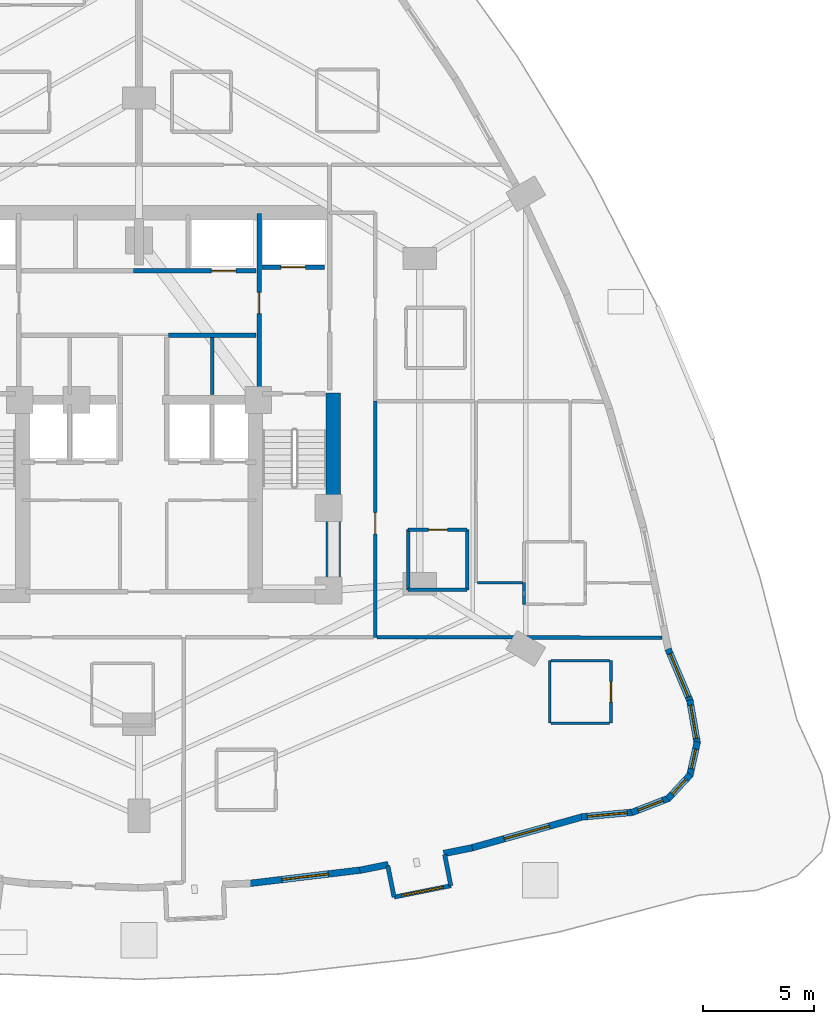
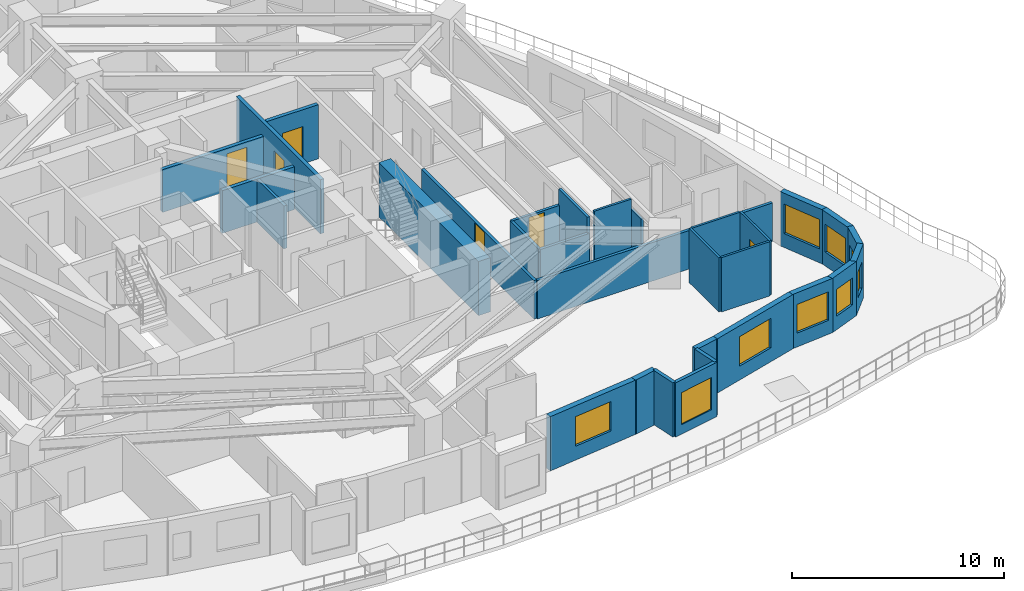
# One storey, part 11 of 17: 31 walls, 9 windows, 6 doors, 15 openings.
"""IFC4 building model written with IfcOpenShell, lengths in metres."""

from ifc_helpers import new_model, si_unit, direction, frame, frame_2d, origin, place, context, subcontext, project, spatial, rectangle, extrude, material, layer, layer_set, type_object, element, fill, save


model = new_model("IFC4")

# Units and contexts
model_context = context("Model", 3, precision=1e-05, world=origin(), true_north=direction((0.0, 1.0)))
body_context = subcontext(model_context, "Body", "Model", "MODEL_VIEW")
ifc_project = project(units=[si_unit("LENGTHUNIT", "METRE"), si_unit("AREAUNIT", "SQUARE_METRE"), si_unit("VOLUMEUNIT", "CUBIC_METRE"), si_unit("PLANEANGLEUNIT", "RADIAN"), si_unit("MASSUNIT", "GRAM", prefix="KILO")], contexts=[model_context])

# Site, building, storey
site_placement = place(None, origin())
site = spatial("IfcSite", under=ifc_project, at=site_placement, CompositionType="ELEMENT")
building_placement = place(site_placement, origin())
building = spatial("IfcBuilding", under=site, at=building_placement, Name="Miruveldt Soraemaru", CompositionType="ELEMENT")
storey_placement = place(building_placement, frame((0.0, 0.0, 29.199951171875)))
storey = spatial("IfcBuildingStorey", under=building, at=storey_placement, Name="L07", CompositionType="ELEMENT", Elevation=29.199951171875)

# Walls
ifc_material_1 = material(Name="White powder-coated aluminium EN AW-6060 T6", Category="aluminium")
ifc_layer_1 = layer(ifc_material_1, 0.18994140625, Name="White powder-coated aluminium EN AW-6060 T6", Category="aluminium")
ifc_layer_set_1 = layer_set([ifc_layer_1], Name="White powder-coated aluminium EN AW-6060 T6")
wall_type_1 = type_object("IfcWallType", Name="WALL-BAY-ALU190", PredefinedType="SOLIDWALL", material=ifc_layer_set_1)
for number, where, z_axis, x_axis, name in (
    (1, (55.166748046875, 23.139404296875, 0.0), (0.0, 0.0, 1.0), (0.195984352603, -0.980607022989, 0.0), "L07 Bay Window Side Cheek 6L"),
    (2, (57.99560546875, 22.251708984375, 0.0), (0.0, 0.0, 1.0), (-0.195984352603, 0.980607022989, 0.0), "L07 Bay Window Side Cheek 6R"),
):
    element("IfcWall", number, at=place(storey_placement, frame(where, z_axis=z_axis, x_axis=x_axis)), inside=storey, type_object=wall_type_1, Name=name, PredefinedType="SOLIDWALL", context=body_context, shape_type="SweptSolid", body=[
        extrude(rectangle(XDim=1.425048828125, YDim=0.18994140625, at=frame_2d((0.71240234375, 0.0))), origin(), (0.0, 0.0, 1.0), 3.125),
    ])

# Wall, opening, window
wall_1_placement = place(storey_placement, frame((55.446044921875, 21.741943359375, 0.0), z_axis=(0.0, 0.0, 1.0), x_axis=(0.980591508741, 0.196061962104, 0.0)))
wall_1 = element("IfcWall", 3, at=wall_1_placement, inside=storey, type_object=wall_type_1, Name="L07 Bay Window Front Frame 6", PredefinedType="SOLIDWALL", context=body_context, shape_type="SweptSolid", body=[
    extrude(rectangle(XDim=2.60009765625, YDim=0.18994140625, at=frame_2d((1.300048828125, 0.0))), origin(), (0.0, 0.0, 1.0), 3.125),
])
opening_1_placement = place(wall_1_placement, frame((0.35009765625, 0.0, 0.550048828125)))
opening_1 = element("IfcOpeningElement", 4, at=opening_1_placement, cuts=wall_1, Name="Opening WN-6", PredefinedType="OPENING", context=body_context, shape_type="SweptSolid", body=[
    extrude(rectangle(XDim=1.89990234375, YDim=1.85009765625, at=frame_2d((0.949951171875, 0.925048828125))), frame((0.0, 0.10498046875, 0.0), z_axis=(0.0, -1.0, 0.0), x_axis=(1.0, 0.0, 0.0)), (0.0, 0.0, 1.0), 0.2099609375),
])
ifc_material_2 = material(Name="Triple low-e insulated glazing", Category="glass")
window_type_1 = type_object("IfcWindowType", Name="WIN-BAYW-1900x1850", PartitioningType="SINGLE_PANEL", PredefinedType="WINDOW", material=ifc_material_2)
window_1_placement = place(opening_1_placement, origin())
window_1 = element("IfcWindow", 5, at=window_1_placement, inside=storey, type_object=window_type_1, Name="L07 Projecting Bay Window 6", OverallHeight=1.85009765625, OverallWidth=1.89990234375, PartitioningType="SINGLE_PANEL", PredefinedType="WINDOW", context=body_context, shape_type="SweptSolid", body=[
    extrude(rectangle(XDim=1.89990234375, YDim=1.85009765625, at=frame_2d((0.949951171875, 0.925048828125))), frame((0.0, 0.030029296875, 0.0), z_axis=(0.0, -1.0, 0.0), x_axis=(1.0, 0.0, 0.0)), (0.0, 0.0, 1.0), 0.06005859375),
])
fill(opening_1, window_1)

# Wall
ifc_material_3 = material(Name="Concrete C80/95 (80 MPa)", Category="concrete")
ifc_layer_2 = layer(ifc_material_3, 0.64990234375, Name="Concrete C80/95 (80 MPa)", Category="concrete")
ifc_layer_set_2 = layer_set([ifc_layer_2], Name="Concrete C80/95 (80 MPa)")
wall_type_2 = type_object("IfcWallType", Name="WALL-CW-650", PredefinedType="SHEAR", material=ifc_layer_set_2)
wall_2_placement = place(storey_placement, frame((52.72509765625, 34.949951171875, 0.0), z_axis=(0.0, 0.0, 1.0), x_axis=(0.0, 1.0, 0.0)))
element("IfcWall", 6, at=wall_2_placement, inside=storey, type_object=wall_type_2, Name="L07 Central Core Shear Wall E1", PredefinedType="SHEAR", context=body_context, shape_type="SweptSolid", body=[
    extrude(rectangle(XDim=9.400146484375, YDim=0.64990234375, at=frame_2d((4.7001953125, 0.0))), origin(), (0.0, 0.0, 1.0), 3.125),
])

# Wall, opening, window
ifc_material_4 = material(Name="Precast concrete C45/55 (45 MPa)", Category="concrete")
ifc_layer_3 = layer(ifc_material_4, 0.300048828125, Name="Precast concrete C45/55 (45 MPa)", Category="concrete")
ifc_layer_set_3 = layer_set([ifc_layer_3], Name="Precast concrete C45/55 (45 MPa)")
wall_type_3 = type_object("IfcWallType", Name="WALL-EXT-PC300", PredefinedType="SOLIDWALL", material=ifc_layer_set_3)
wall_3_placement = place(storey_placement, frame((48.9375, 22.35009765625, 0.0), z_axis=(0.0, 0.0, 1.0), x_axis=(0.992877520979, 0.119139533049, 0.0)))
wall_3 = element("IfcWall", 7, at=wall_3_placement, inside=storey, type_object=wall_type_3, Name="L07 Precast Concrete Facade Wall 26", PredefinedType="SOLIDWALL", context=body_context, shape_type="SweptSolid", body=[
    extrude(rectangle(XDim=5.077880859375, YDim=0.300048828125, at=frame_2d((2.5390625, 0.0))), origin(), (0.0, 0.0, 1.0), 3.125),
])
opening_2_placement = place(wall_3_placement, frame((1.489013671875, 0.0, 0.800048828125)))
opening_2 = element("IfcOpeningElement", 8, at=opening_2_placement, cuts=wall_3, Name="Opening WN-1", PredefinedType="OPENING", context=body_context, shape_type="SweptSolid", body=[
    extrude(rectangle(XDim=2.10009765625, YDim=1.699951171875, at=frame_2d((1.050048828125, 0.85009765625))), frame((0.0, 0.16015625, 0.0), z_axis=(0.0, -1.0, 0.0), x_axis=(1.0, 0.0, 0.0)), (0.0, 0.0, 1.0), 0.320068359375),
])
window_type_2 = type_object("IfcWindowType", Name="WIN-PUNCH-2100x1700", PartitioningType="SINGLE_PANEL", PredefinedType="WINDOW", material=ifc_material_2)
window_2_placement = place(opening_2_placement, origin())
window_2 = element("IfcWindow", 9, at=window_2_placement, inside=storey, type_object=window_type_2, Name="L07 Punched Triple-Glazed Window 26.1", OverallHeight=1.699951171875, OverallWidth=2.10009765625, PartitioningType="SINGLE_PANEL", PredefinedType="WINDOW", context=body_context, shape_type="SweptSolid", body=[
    extrude(rectangle(XDim=2.10009765625, YDim=1.699951171875, at=frame_2d((1.050048828125, 0.85009765625))), frame((0.0, 0.030029296875, 0.0), z_axis=(0.0, -1.0, 0.0), x_axis=(1.0, 0.0, 0.0)), (0.0, 0.0, 1.0), 0.06005859375),
])
fill(opening_2, window_2)

# Walls
for number, where, z_axis, x_axis, name in (
    (10, (53.91015625, 22.944091796875, 0.0), (0.0, 0.0, 1.0), (0.980566231491, 0.196188342314, 0.0), "L07 Precast Pier Wall 27A"),
    (11, (57.676025390625, 23.697265625, 0.0), (0.0, 0.0, 1.0), (0.980566231491, 0.196188342314, 0.0), "L07 Precast Pier Wall 27B"),
):
    element("IfcWall", number, at=place(storey_placement, frame(where, z_axis=z_axis, x_axis=x_axis)), inside=storey, type_object=wall_type_3, Name=name, PredefinedType="SOLIDWALL", context=body_context, shape_type="SweptSolid", body=[
        extrude(rectangle(XDim=1.300537109375, YDim=0.300048828125, at=frame_2d((0.650390625, 0.0))), origin(), (0.0, 0.0, 1.0), 3.125),
    ])

# Wall, opening, window
wall_4_placement = place(storey_placement, frame((58.883056640625, 23.93603515625, 0.0), z_axis=(0.0, 0.0, 1.0), x_axis=(0.962961112649, 0.269640307679, 0.0)))
wall_4 = element("IfcWall", 12, at=wall_4_placement, inside=storey, type_object=wall_type_3, Name="L07 Precast Concrete Facade Wall 28", PredefinedType="SOLIDWALL", context=body_context, shape_type="SweptSolid", body=[
    extrude(rectangle(XDim=5.2333984375, YDim=0.300048828125, at=frame_2d((2.61669921875, 0.0))), origin(), (0.0, 0.0, 1.0), 3.125),
])
opening_3_placement = place(wall_4_placement, frame((1.56591796875, 0.0, 0.800048828125)))
opening_3 = element("IfcOpeningElement", 13, at=opening_3_placement, cuts=wall_4, Name="Opening WN-1", PredefinedType="OPENING", context=body_context, shape_type="SweptSolid", body=[
    extrude(rectangle(XDim=2.10009765625, YDim=1.699951171875, at=frame_2d((1.050048828125, 0.85009765625))), frame((0.0, 0.16015625, 0.0), z_axis=(0.0, -1.0, 0.0), x_axis=(1.0, 0.0, 0.0)), (0.0, 0.0, 1.0), 0.320068359375),
])
window_3_placement = place(opening_3_placement, origin())
window_3 = element("IfcWindow", 14, at=window_3_placement, inside=storey, type_object=window_type_2, Name="L07 Punched Triple-Glazed Window 28.1", OverallHeight=1.699951171875, OverallWidth=2.10009765625, PartitioningType="SINGLE_PANEL", PredefinedType="WINDOW", context=body_context, shape_type="SweptSolid", body=[
    extrude(rectangle(XDim=2.10009765625, YDim=1.699951171875, at=frame_2d((1.050048828125, 0.85009765625))), frame((0.0, 0.030029296875, 0.0), z_axis=(0.0, -1.0, 0.0), x_axis=(1.0, 0.0, 0.0)), (0.0, 0.0, 1.0), 0.06005859375),
])
fill(opening_3, window_3)

wall_5_placement = place(storey_placement, frame((63.85400390625, 25.33447265625, 0.0), z_axis=(0.0, 0.0, 1.0), x_axis=(0.995760200103, 0.09198708546, 0.0)))
wall_5 = element("IfcWall", 15, at=wall_5_placement, inside=storey, type_object=wall_type_3, Name="L07 Precast Concrete Facade Wall 29", PredefinedType="SOLIDWALL", context=body_context, shape_type="SweptSolid", body=[
    extrude(rectangle(XDim=2.335693359375, YDim=0.300048828125, at=frame_2d((1.16796875, 0.0))), origin(), (0.0, 0.0, 1.0), 3.125),
])
opening_4_placement = place(wall_5_placement, frame((0.26806640625, 0.0, 0.800048828125)))
opening_4 = element("IfcOpeningElement", 16, at=opening_4_placement, cuts=wall_5, Name="Opening WN-2", PredefinedType="OPENING", context=body_context, shape_type="SweptSolid", body=[
    extrude(rectangle(XDim=1.800048828125, YDim=1.64990234375, at=frame_2d((0.89990234375, 0.824951171875))), frame((0.0, 0.16015625, 0.0), z_axis=(0.0, -1.0, 0.0), x_axis=(1.0, 0.0, 0.0)), (0.0, 0.0, 1.0), 0.320068359375),
])
window_type_3 = type_object("IfcWindowType", Name="WIN-PUNCH-1800x1650", PartitioningType="SINGLE_PANEL", PredefinedType="WINDOW", material=ifc_material_2)
window_4_placement = place(opening_4_placement, origin())
window_4 = element("IfcWindow", 17, at=window_4_placement, inside=storey, type_object=window_type_3, Name="L07 Punched Triple-Glazed Window 29.1", OverallHeight=1.64990234375, OverallWidth=1.800048828125, PartitioningType="SINGLE_PANEL", PredefinedType="WINDOW", context=body_context, shape_type="SweptSolid", body=[
    extrude(rectangle(XDim=1.800048828125, YDim=1.64990234375, at=frame_2d((0.89990234375, 0.824951171875))), frame((0.0, 0.030029296875, 0.0), z_axis=(0.0, -1.0, 0.0), x_axis=(1.0, 0.0, 0.0)), (0.0, 0.0, 1.0), 0.06005859375),
])
fill(opening_4, window_4)

wall_6_placement = place(storey_placement, frame((66.1123046875, 25.533447265625, 0.0), z_axis=(0.0, 0.0, 1.0), x_axis=(0.932256673609, 0.361797587763, 0.0)))
wall_6 = element("IfcWall", 18, at=wall_6_placement, inside=storey, type_object=wall_type_3, Name="L07 Precast Concrete Facade Wall 30", PredefinedType="SOLIDWALL", context=body_context, shape_type="SweptSolid", body=[
    extrude(rectangle(XDim=1.79833984375, YDim=0.300048828125, at=frame_2d((0.899169921875, 0.0))), origin(), (0.0, 0.0, 1.0), 3.125),
])
opening_5_placement = place(wall_6_placement, frame((0.299072265625, 0.0, 0.780029296875)))
opening_5 = element("IfcOpeningElement", 19, at=opening_5_placement, cuts=wall_6, Name="Opening WN-4", PredefinedType="OPENING", context=body_context, shape_type="SweptSolid", body=[
    extrude(rectangle(XDim=1.199951171875, YDim=1.550048828125, at=frame_2d((0.60009765625, 0.77490234375))), frame((0.0, 0.16015625, 0.0), z_axis=(0.0, -1.0, 0.0), x_axis=(1.0, 0.0, 0.0)), (0.0, 0.0, 1.0), 0.320068359375),
])
window_type_4 = type_object("IfcWindowType", Name="WIN-PUNCH-1200x1550", PartitioningType="SINGLE_PANEL", PredefinedType="WINDOW", material=ifc_material_2)
window_5_placement = place(opening_5_placement, origin())
window_5 = element("IfcWindow", 20, at=window_5_placement, inside=storey, type_object=window_type_4, Name="L07 Punched Triple-Glazed Window 30.1", OverallHeight=1.550048828125, OverallWidth=1.199951171875, PartitioningType="SINGLE_PANEL", PredefinedType="WINDOW", context=body_context, shape_type="SweptSolid", body=[
    extrude(rectangle(XDim=1.199951171875, YDim=1.550048828125, at=frame_2d((0.60009765625, 0.77490234375))), frame((0.0, 0.030029296875, 0.0), z_axis=(0.0, -1.0, 0.0), x_axis=(1.0, 0.0, 0.0)), (0.0, 0.0, 1.0), 0.06005859375),
])
fill(opening_5, window_5)

wall_7_placement = place(storey_placement, frame((67.732421875, 26.1455078125, 0.0), z_axis=(0.0, 0.0, 1.0), x_axis=(0.680093162968, 0.73312569842, 0.0)))
wall_7 = element("IfcWall", 21, at=wall_7_placement, inside=storey, type_object=wall_type_3, Name="L07 Precast Concrete Facade Wall 31", PredefinedType="SOLIDWALL", context=body_context, shape_type="SweptSolid", body=[
    extrude(rectangle(XDim=1.491455078125, YDim=0.300048828125, at=frame_2d((0.74560546875, 0.0))), origin(), (0.0, 0.0, 1.0), 3.125),
])
opening_6_placement = place(wall_7_placement, frame((0.294921875, 0.0, 0.780029296875)))
opening_6 = element("IfcOpeningElement", 22, at=opening_6_placement, cuts=wall_7, Name="Opening WN-7", PredefinedType="OPENING", context=body_context, shape_type="SweptSolid", body=[
    extrude(rectangle(XDim=0.89990234375, YDim=1.5, at=frame_2d((0.449951171875, 0.75))), frame((0.0, 0.16015625, 0.0), z_axis=(0.0, -1.0, 0.0), x_axis=(1.0, 0.0, 0.0)), (0.0, 0.0, 1.0), 0.320068359375),
])
window_type_5 = type_object("IfcWindowType", Name="WIN-PUNCH-900x1500", PartitioningType="SINGLE_PANEL", PredefinedType="WINDOW", material=ifc_material_2)
window_6_placement = place(opening_6_placement, origin())
window_6 = element("IfcWindow", 23, at=window_6_placement, inside=storey, type_object=window_type_5, Name="L07 Punched Triple-Glazed Window 31.1", OverallHeight=1.5, OverallWidth=0.89990234375, PartitioningType="SINGLE_PANEL", PredefinedType="WINDOW", context=body_context, shape_type="SweptSolid", body=[
    extrude(rectangle(XDim=0.89990234375, YDim=1.5, at=frame_2d((0.449951171875, 0.75))), frame((0.0, 0.030029296875, 0.0), z_axis=(0.0, -1.0, 0.0), x_axis=(1.0, 0.0, 0.0)), (0.0, 0.0, 1.0), 0.06005859375),
])
fill(opening_6, window_6)

wall_8_placement = place(storey_placement, frame((68.715576171875, 27.178955078125, 0.0), z_axis=(0.0, 0.0, 1.0), x_axis=(0.215707327846, 0.976458062957, 0.0)))
wall_8 = element("IfcWall", 24, at=wall_8_placement, inside=storey, type_object=wall_type_3, Name="L07 Precast Concrete Facade Wall 32", PredefinedType="SOLIDWALL", context=body_context, shape_type="SweptSolid", body=[
    extrude(rectangle(XDim=1.564208984375, YDim=0.300048828125, at=frame_2d((0.7822265625, 0.0))), origin(), (0.0, 0.0, 1.0), 3.125),
])
opening_7_placement = place(wall_8_placement, frame((0.33203125, 0.0, 0.780029296875)))
opening_7 = element("IfcOpeningElement", 25, at=opening_7_placement, cuts=wall_8, Name="Opening WN-7", PredefinedType="OPENING", context=body_context, shape_type="SweptSolid", body=[
    extrude(rectangle(XDim=0.89990234375, YDim=1.5, at=frame_2d((0.449951171875, 0.75))), frame((0.0, 0.16015625, 0.0), z_axis=(0.0, -1.0, 0.0), x_axis=(1.0, 0.0, 0.0)), (0.0, 0.0, 1.0), 0.320068359375),
])
window_7_placement = place(opening_7_placement, origin())
window_7 = element("IfcWindow", 26, at=window_7_placement, inside=storey, type_object=window_type_5, Name="L07 Punched Triple-Glazed Window 32.1", OverallHeight=1.5, OverallWidth=0.89990234375, PartitioningType="SINGLE_PANEL", PredefinedType="WINDOW", context=body_context, shape_type="SweptSolid", body=[
    extrude(rectangle(XDim=0.89990234375, YDim=1.5, at=frame_2d((0.449951171875, 0.75))), frame((0.0, 0.030029296875, 0.0), z_axis=(0.0, -1.0, 0.0), x_axis=(1.0, 0.0, 0.0)), (0.0, 0.0, 1.0), 0.06005859375),
])
fill(opening_7, window_7)

wall_9_placement = place(storey_placement, frame((69.05126953125, 28.637451171875, 0.0), z_axis=(0.0, 0.0, 1.0), x_axis=(-0.169272905245, 0.985569218041, 0.0)))
wall_9 = element("IfcWall", 27, at=wall_9_placement, inside=storey, type_object=wall_type_3, Name="L07 Precast Concrete Facade Wall 33", PredefinedType="SOLIDWALL", context=body_context, shape_type="SweptSolid", body=[
    extrude(rectangle(XDim=1.97314453125, YDim=0.300048828125, at=frame_2d((0.986572265625, 0.0))), origin(), (0.0, 0.0, 1.0), 3.125),
])
opening_8_placement = place(wall_9_placement, frame((0.236083984375, 0.0, 0.800048828125)))
opening_8 = element("IfcOpeningElement", 28, at=opening_8_placement, cuts=wall_9, Name="Opening WN-3", PredefinedType="OPENING", context=body_context, shape_type="SweptSolid", body=[
    extrude(rectangle(XDim=1.5, YDim=1.60009765625, at=frame_2d((0.75, 0.800048828125))), frame((0.0, 0.16015625, 0.0), z_axis=(0.0, -1.0, 0.0), x_axis=(1.0, 0.0, 0.0)), (0.0, 0.0, 1.0), 0.320068359375),
])
window_type_6 = type_object("IfcWindowType", Name="WIN-PUNCH-1500x1600", PartitioningType="SINGLE_PANEL", PredefinedType="WINDOW", material=ifc_material_2)
window_8_placement = place(opening_8_placement, origin())
window_8 = element("IfcWindow", 29, at=window_8_placement, inside=storey, type_object=window_type_6, Name="L07 Punched Triple-Glazed Window 33.1", OverallHeight=1.60009765625, OverallWidth=1.5, PartitioningType="SINGLE_PANEL", PredefinedType="WINDOW", context=body_context, shape_type="SweptSolid", body=[
    extrude(rectangle(XDim=1.5, YDim=1.60009765625, at=frame_2d((0.75, 0.800048828125))), frame((0.0, 0.030029296875, 0.0), z_axis=(0.0, -1.0, 0.0), x_axis=(1.0, 0.0, 0.0)), (0.0, 0.0, 1.0), 0.06005859375),
])
fill(opening_8, window_8)

wall_10_placement = place(storey_placement, frame((68.73681640625, 30.515380859375, 0.0), z_axis=(0.0, 0.0, 1.0), x_axis=(-0.388671385618, 0.921376445326, 0.0)))
wall_10 = element("IfcWall", 30, at=wall_10_placement, inside=storey, type_object=wall_type_3, Name="L07 Precast Concrete Facade Wall 34", PredefinedType="SOLIDWALL", context=body_context, shape_type="SweptSolid", body=[
    extrude(rectangle(XDim=2.557861328125, YDim=0.300048828125, at=frame_2d((1.27880859375, 0.0))), origin(), (0.0, 0.0, 1.0), 3.125),
])
opening_9_placement = place(wall_10_placement, frame((0.22900390625, 0.0, 0.800048828125)))
opening_9 = element("IfcOpeningElement", 31, at=opening_9_placement, cuts=wall_10, Name="Opening WN-1", PredefinedType="OPENING", context=body_context, shape_type="SweptSolid", body=[
    extrude(rectangle(XDim=2.10009765625, YDim=1.699951171875, at=frame_2d((1.050048828125, 0.85009765625))), frame((0.0, 0.16015625, 0.0), z_axis=(0.0, -1.0, 0.0), x_axis=(1.0, 0.0, 0.0)), (0.0, 0.0, 1.0), 0.320068359375),
])
window_9_placement = place(opening_9_placement, origin())
window_9 = element("IfcWindow", 32, at=window_9_placement, inside=storey, type_object=window_type_2, Name="L07 Punched Triple-Glazed Window 34.1", OverallHeight=1.699951171875, OverallWidth=2.10009765625, PartitioningType="SINGLE_PANEL", PredefinedType="WINDOW", context=body_context, shape_type="SweptSolid", body=[
    extrude(rectangle(XDim=2.10009765625, YDim=1.699951171875, at=frame_2d((1.050048828125, 0.85009765625))), frame((0.0, 0.030029296875, 0.0), z_axis=(0.0, -1.0, 0.0), x_axis=(1.0, 0.0, 0.0)), (0.0, 0.0, 1.0), 0.06005859375),
])
fill(opening_9, window_9)

# Wall, opening, door
ifc_material_5 = material(Name="Gypsum plasterboard lining", Category="gypsum")
ifc_layer_4 = layer(ifc_material_5, 0.1201171875, Name="Gypsum plasterboard lining", Category="gypsum")
ifc_layer_set_4 = layer_set([ifc_layer_4], Name="Gypsum plasterboard lining")
wall_type_4 = type_object("IfcWallType", Name="WALL-INT-P120", PredefinedType="PARTITIONING", material=ifc_layer_set_4)
wall_11_placement = place(storey_placement, frame((65.179931640625, 29.548095703125, 0.0), z_axis=(0.0, 0.0, 1.0), x_axis=(0.0, 1.0, 0.0)))
wall_11 = element("IfcWall", 33, at=wall_11_placement, inside=storey, type_object=wall_type_4, Name="L07 Partition Wall 103", PredefinedType="PARTITIONING", context=body_context, shape_type="SweptSolid", body=[
    extrude(rectangle(XDim=2.7998046875, YDim=0.1201171875, at=frame_2d((1.39990234375, 0.0))), origin(), (0.0, 0.0, 1.0), 3.125),
])
opening_10_placement = place(wall_11_placement, frame((0.93994140625, 0.0, 0.0)))
opening_10 = element("IfcOpeningElement", 34, at=opening_10_placement, cuts=wall_11, Name="Opening D3A", PredefinedType="OPENING", context=body_context, shape_type="SweptSolid", body=[
    extrude(rectangle(XDim=0.919921875, YDim=2.10009765625, at=frame_2d((0.4599609375, 1.050048828125))), frame((0.0, 0.070068359375, 0.0), z_axis=(0.0, -1.0, 0.0), x_axis=(1.0, 0.0, 0.0)), (0.0, 0.0, 1.0), 0.14013671875),
])
ifc_material_6 = material(Name="Anodised aluminium EN AW-6063 T6", Category="aluminium")
door_type_1 = type_object("IfcDoorType", Name="DOOR-INT-920", OperationType="NOTDEFINED", PredefinedType="DOOR", material=ifc_material_6)
door_1_placement = place(opening_10_placement, origin())
door_1 = element("IfcDoor", 35, at=door_1_placement, inside=storey, type_object=door_type_1, Name="L07 Unit CL09 KIT Door", OperationType="SINGLE_SWING_LEFT", OverallHeight=2.10009765625, OverallWidth=0.919921875, PredefinedType="DOOR", context=body_context, shape_type="SweptSolid", body=[
    extrude(rectangle(XDim=0.919921875, YDim=2.10009765625, at=frame_2d((0.4599609375, 1.050048828125))), frame((0.0, 0.02490234375, 0.0), z_axis=(0.0, -1.0, 0.0), x_axis=(1.0, 0.0, 0.0)), (0.0, 0.0, 1.0), 0.050048828125),
])
fill(opening_10, door_1)

# Walls
wall_12_placement = place(storey_placement, frame((62.429931640625, 32.347900390625, 0.0), z_axis=(0.0, 0.0, 1.0), x_axis=(0.0, -1.0, 0.0)))
element("IfcWall", 36, at=wall_12_placement, inside=storey, type_object=wall_type_4, Name="L07 Partition Wall 105", PredefinedType="PARTITIONING", context=body_context, shape_type="SweptSolid", body=[
    extrude(rectangle(XDim=2.7998046875, YDim=0.1201171875, at=frame_2d((1.39990234375, 0.0))), origin(), (0.0, 0.0, 1.0), 3.125),
])
for number, where, z_axis, x_axis, name in (
    (37, (65.1201171875, 32.347900390625, 0.0), (0.0, 0.0, 1.0), (-1.0, 0.0, 0.0), "L07 Partition Wall 104"),
    (38, (62.489990234375, 29.548095703125, 0.0), (0.0, 0.0, 1.0), (1.0, 0.0, 0.0), "L07 Partition Wall 106"),
):
    element("IfcWall", number, at=place(storey_placement, frame(where, z_axis=z_axis, x_axis=x_axis)), inside=storey, type_object=wall_type_4, Name=name, PredefinedType="PARTITIONING", context=body_context, shape_type="SweptSolid", body=[
        extrude(rectangle(XDim=2.630126953125, YDim=0.1201171875, at=frame_2d((1.31494140625, 0.0))), origin(), (0.0, 0.0, 1.0), 3.125),
    ])
wall_13_placement = place(storey_placement, frame((61.219970703125, 35.85009765625, 0.0), z_axis=(0.0, 0.0, 1.0), x_axis=(-1.0, 0.0, 0.0)))
element("IfcWall", 39, at=wall_13_placement, inside=storey, type_object=wall_type_4, Name="L07 Partition Wall 76", PredefinedType="PARTITIONING", context=body_context, shape_type="SweptSolid", body=[
    extrude(rectangle(XDim=2.02392578125, YDim=0.1201171875, at=frame_2d((1.011962890625, 0.0))), origin(), (0.0, 0.0, 1.0), 3.125),
])
wall_14_placement = place(storey_placement, frame((61.280029296875, 35.85009765625, 0.0), z_axis=(0.0, 0.0, 1.0), x_axis=(0.0, -1.0, 0.0)))
element("IfcWall", 40, at=wall_14_placement, inside=storey, type_object=wall_type_4, Name="L07 Partition Wall 74", PredefinedType="PARTITIONING", context=body_context, shape_type="SweptSolid", body=[
    extrude(rectangle(XDim=0.97021484375, YDim=0.1201171875, at=frame_2d((0.485107421875, 0.0))), origin(), (0.0, 0.0, 1.0), 2.512939453125),
])

# Wall, opening, door
ifc_layer_5 = layer(ifc_material_5, 0.14990234375, Name="Gypsum plasterboard lining", Category="gypsum")
ifc_layer_set_5 = layer_set([ifc_layer_5], Name="Gypsum plasterboard lining")
wall_type_5 = type_object("IfcWallType", Name="WALL-INT-PLUMB", PredefinedType="PLUMBINGWALL", material=ifc_layer_set_5)
wall_15_placement = place(storey_placement, frame((58.72998046875, 38.22998046875, 0.0), z_axis=(0.0, 0.0, 1.0), x_axis=(-1.0, 0.0, 0.0)))
wall_15 = element("IfcWall", 41, at=wall_15_placement, inside=storey, type_object=wall_type_5, Name="L07 Partition Wall 70", PredefinedType="PLUMBINGWALL", context=body_context, shape_type="SweptSolid", body=[
    extrude(rectangle(XDim=2.64990234375, YDim=0.14990234375, at=frame_2d((1.324951171875, 0.0))), origin(), (0.0, 0.0, 1.0), 2.219970703125),
])
opening_11_placement = place(wall_15_placement, frame((0.885009765625, 0.0, 0.0)))
opening_11 = element("IfcOpeningElement", 42, at=opening_11_placement, cuts=wall_15, Name="Opening FD3", PredefinedType="OPENING", context=body_context, shape_type="SweptSolid", body=[
    extrude(rectangle(XDim=0.85009765625, YDim=2.10009765625, at=frame_2d((0.425048828125, 1.050048828125))), frame((0.0, 0.0849609375, 0.0), z_axis=(0.0, -1.0, 0.0), x_axis=(1.0, 0.0, 0.0)), (0.0, 0.0, 1.0), 0.169921875),
])
door_type_2 = type_object("IfcDoorType", Name="DOOR-FD3-850", OperationType="NOTDEFINED", PredefinedType="DOOR", material=ifc_material_6)
door_2_placement = place(opening_11_placement, origin())
door_2 = element("IfcDoor", 43, at=door_2_placement, inside=storey, type_object=door_type_2, Name="L07 Unit 0707 BTH Door", OperationType="SINGLE_SWING_RIGHT", OverallHeight=2.10009765625, OverallWidth=0.85009765625, PredefinedType="DOOR", context=body_context, shape_type="SweptSolid", body=[
    extrude(rectangle(XDim=0.85009765625, YDim=2.10009765625, at=frame_2d((0.425048828125, 1.050048828125))), frame((0.0, 0.02490234375, 0.0), z_axis=(0.0, -1.0, 0.0), x_axis=(1.0, 0.0, 0.0)), (0.0, 0.0, 1.0), 0.050048828125),
])
fill(opening_11, door_2)

# Walls
wall_16_placement = place(storey_placement, frame((58.72998046875, 35.530029296875, 0.0), z_axis=(0.0, 0.0, 1.0), x_axis=(0.0, 1.0, 0.0)))
element("IfcWall", 44, at=wall_16_placement, inside=storey, type_object=wall_type_5, Name="L07 Partition Wall 69", PredefinedType="PLUMBINGWALL", context=body_context, shape_type="SweptSolid", body=[
    extrude(rectangle(XDim=2.699951171875, YDim=0.14990234375, at=frame_2d((1.35009765625, 0.0))), origin(), (0.0, 0.0, 1.0), 3.125),
])
wall_17_placement = place(storey_placement, frame((56.080078125, 38.22998046875, 0.0), z_axis=(0.0, 0.0, 1.0), x_axis=(0.0, -1.0, 0.0)))
element("IfcWall", 45, at=wall_17_placement, inside=storey, type_object=wall_type_5, Name="L07 Partition Wall 71", PredefinedType="PLUMBINGWALL", context=body_context, shape_type="SweptSolid", body=[
    extrude(rectangle(XDim=2.699951171875, YDim=0.14990234375, at=frame_2d((1.35009765625, 0.0))), origin(), (0.0, 0.0, 1.0), 2.219970703125),
])
wall_18_placement = place(storey_placement, frame((56.080078125, 35.530029296875, 0.0), z_axis=(0.0, 0.0, 1.0), x_axis=(1.0, 0.0, 0.0)))
element("IfcWall", 46, at=wall_18_placement, inside=storey, type_object=wall_type_5, Name="L07 Partition Wall 72", PredefinedType="PLUMBINGWALL", context=body_context, shape_type="SweptSolid", body=[
    extrude(rectangle(XDim=2.64990234375, YDim=0.14990234375, at=frame_2d((1.324951171875, 0.0))), origin(), (0.0, 0.0, 1.0), 2.219970703125),
])

# Wall, opening, door
ifc_material_7 = material(Name="Concrete C40/50 (40 MPa)", Category="concrete")
ifc_layer_6 = layer(ifc_material_7, 0.159912109375, Name="Concrete C40/50 (40 MPa)", Category="concrete")
ifc_layer_set_6 = layer_set([ifc_layer_6], Name="Concrete C40/50 (40 MPa)")
wall_type_6 = type_object("IfcWallType", Name="WALL-INT-RC160", PredefinedType="SOLIDWALL", material=ifc_layer_set_6)
wall_19_placement = place(storey_placement, frame((54.60009765625, 33.39990234375, 0.0), z_axis=(0.0, 0.0, 1.0), x_axis=(0.0, 1.0, 0.0)))
wall_19 = element("IfcWall", 47, at=wall_19_placement, inside=storey, type_object=wall_type_6, Name="L07 Partition Wall 9", PredefinedType="SOLIDWALL", context=body_context, shape_type="SweptSolid", body=[
    extrude(rectangle(XDim=10.60009765625, YDim=0.159912109375, at=frame_2d((5.300048828125, 0.0))), origin(), (0.0, 0.0, 1.0), 2.219970703125),
])
opening_12_placement = place(wall_19_placement, frame((4.64501953125, 0.0, 0.0)))
opening_12 = element("IfcOpeningElement", 48, at=opening_12_placement, cuts=wall_19, Name="Opening FD2", PredefinedType="OPENING", context=body_context, shape_type="SweptSolid", body=[
    extrude(rectangle(XDim=0.949951171875, YDim=2.14990234375, at=frame_2d((0.47509765625, 1.074951171875))), frame((0.0, 0.08984375, 0.0), z_axis=(0.0, -1.0, 0.0), x_axis=(1.0, 0.0, 0.0)), (0.0, 0.0, 1.0), 0.179931640625),
])
door_type_3 = type_object("IfcDoorType", Name="DOOR-FD2-950", OperationType="NOTDEFINED", PredefinedType="DOOR", material=ifc_material_6)
door_3_placement = place(opening_12_placement, origin())
door_3 = element("IfcDoor", 49, at=door_3_placement, inside=storey, type_object=door_type_3, Name="L07 Unit 0707 Entrance Fire Door", OperationType="SINGLE_SWING_LEFT", OverallHeight=2.14990234375, OverallWidth=0.949951171875, PredefinedType="DOOR", context=body_context, shape_type="SweptSolid", body=[
    extrude(rectangle(XDim=0.949951171875, YDim=2.14990234375, at=frame_2d((0.47509765625, 1.074951171875))), frame((0.0, 0.02490234375, 0.0), z_axis=(0.0, -1.0, 0.0), x_axis=(1.0, 0.0, 0.0)), (0.0, 0.0, 1.0), 0.050048828125),
])
fill(opening_12, door_3)

# Walls
wall_20_placement = place(storey_placement, frame((54.679931640625, 33.39990234375, 0.0), z_axis=(0.0, 0.0, 1.0), x_axis=(0.999999133458, -0.001316466148, 0.0)))
element("IfcWall", 50, at=wall_20_placement, inside=storey, type_object=wall_type_6, Name="L07 Partition Wall 79", PredefinedType="SOLIDWALL", context=body_context, shape_type="SweptSolid", body=[
    extrude(rectangle(XDim=12.796142578125, YDim=0.159912109375, at=frame_2d((6.39794921875, 0.0))), origin(), (0.0, 0.0, 1.0), 2.219970703125),
])
wall_21_placement = place(storey_placement, frame((47.280029296875, 44.300048828125, 0.0), z_axis=(0.0, 0.0, 1.0), x_axis=(0.0, 1.0, 0.0)))
element("IfcWall", 51, at=wall_21_placement, inside=storey, type_object=wall_type_6, Name="L07 Core Compartment Wall PLM-DE", PredefinedType="SOLIDWALL", context=body_context, shape_type="SweptSolid", body=[
    extrude(rectangle(XDim=2.550048828125, YDim=0.159912109375, at=frame_2d((1.27490234375, 0.0))), origin(), (0.0, 0.0, 1.0), 2.463134765625),
])

# Wall, opening, door
ifc_layer_7 = layer(ifc_material_7, 0.199951171875, Name="Concrete C40/50 (40 MPa)", Category="concrete")
ifc_layer_set_7 = layer_set([ifc_layer_7], Name="Concrete C40/50 (40 MPa)")
wall_type_7 = type_object("IfcWallType", Name="WALL-INT-RC200", PredefinedType="SOLIDWALL", material=ifc_layer_set_7)
wall_22_placement = place(storey_placement, frame((49.39990234375, 44.5, 0.0), z_axis=(0.0, 0.0, 1.0), x_axis=(0.0, 1.0, 0.0)))
wall_22 = element("IfcWall", 52, at=wall_22_placement, inside=storey, type_object=wall_type_7, Name="L07 Core Compartment Wall FFE-IN", PredefinedType="SOLIDWALL", context=body_context, shape_type="SweptSolid", body=[
    extrude(rectangle(XDim=7.919921875, YDim=0.199951171875, at=frame_2d((3.9599609375, 0.0))), origin(), (0.0, 0.0, 1.0), 3.125),
])
opening_13_placement = place(wall_22_placement, frame((3.425048828125, 0.0, 0.0)))
opening_13 = element("IfcOpeningElement", 53, at=opening_13_placement, cuts=wall_22, Name="Opening FD2", PredefinedType="OPENING", context=body_context, shape_type="SweptSolid", body=[
    extrude(rectangle(XDim=0.949951171875, YDim=2.14990234375, at=frame_2d((0.47509765625, 1.074951171875))), frame((0.0, 0.10986328125, 0.0), z_axis=(0.0, -1.0, 0.0), x_axis=(1.0, 0.0, 0.0)), (0.0, 0.0, 1.0), 0.219970703125),
])
door_4_placement = place(opening_13_placement, origin())
door_4 = element("IfcDoor", 54, at=door_4_placement, inside=storey, type_object=door_type_3, Name="L07 Lift Lobby to East Fire Lobby Door", OperationType="SINGLE_SWING_LEFT", OverallHeight=2.14990234375, OverallWidth=0.949951171875, PredefinedType="DOOR", context=body_context, shape_type="SweptSolid", body=[
    extrude(rectangle(XDim=0.949951171875, YDim=2.14990234375, at=frame_2d((0.47509765625, 1.074951171875))), frame((0.0, 0.02490234375, 0.0), z_axis=(0.0, -1.0, 0.0), x_axis=(1.0, 0.0, 0.0)), (0.0, 0.0, 1.0), 0.050048828125),
])
fill(opening_13, door_4)

wall_23_placement = place(storey_placement, frame((43.75, 49.85009765625, 0.0), z_axis=(0.0, 0.0, 1.0), x_axis=(1.0, 0.0, 0.0)))
wall_23 = element("IfcWall", 55, at=wall_23_placement, inside=storey, type_object=wall_type_7, Name="L07 Core Compartment Wall ROWA-SE", PredefinedType="SOLIDWALL", context=body_context, shape_type="SweptSolid", body=[
    extrude(rectangle(XDim=5.5, YDim=0.199951171875, at=frame_2d((2.75, 0.0))), origin(), (0.0, 0.0, 1.0), 2.463134765625),
])
opening_14_placement = place(wall_23_placement, frame((3.5, 0.0, 0.0)))
opening_14 = element("IfcOpeningElement", 56, at=opening_14_placement, cuts=wall_23, Name="Opening LD2", PredefinedType="OPENING", context=body_context, shape_type="SweptSolid", body=[
    extrude(rectangle(XDim=1.10009765625, YDim=2.14990234375, at=frame_2d((0.550048828125, 1.074951171875))), frame((0.0, 0.10986328125, 0.0), z_axis=(0.0, -1.0, 0.0), x_axis=(1.0, 0.0, 0.0)), (0.0, 0.0, 1.0), 0.219970703125),
])
door_type_4 = type_object("IfcDoorType", Name="DOOR-LD2-1100", OperationType="SLIDING_TO_LEFT", PredefinedType="DOOR", material=ifc_material_6)
door_5_placement = place(opening_14_placement, origin())
door_5 = element("IfcDoor", 57, at=door_5_placement, inside=storey, type_object=door_type_4, Name="L07 SL-1 Landing Door", OperationType="SLIDING_TO_LEFT", OverallHeight=2.14990234375, OverallWidth=1.10009765625, PredefinedType="DOOR", context=body_context, shape_type="SweptSolid", body=[
    extrude(rectangle(XDim=1.10009765625, YDim=2.14990234375, at=frame_2d((0.550048828125, 1.074951171875))), frame((0.0, 0.02490234375, 0.0), z_axis=(0.0, -1.0, 0.0), x_axis=(1.0, 0.0, 0.0)), (0.0, 0.0, 1.0), 0.050048828125),
])
fill(opening_14, door_5)

wall_24_placement = place(storey_placement, frame((49.52001953125, 50.0, 0.0), z_axis=(0.0, 0.0, 1.0), x_axis=(1.0, 0.0, 0.0)))
wall_24 = element("IfcWall", 58, at=wall_24_placement, inside=storey, type_object=wall_type_7, Name="L07 Core Compartment Wall FFL2-S", PredefinedType="SOLIDWALL", context=body_context, shape_type="SweptSolid", body=[
    extrude(rectangle(XDim=2.800048828125, YDim=0.199951171875, at=frame_2d((1.39990234375, 0.0))), origin(), (0.0, 0.0, 1.0), 3.125),
])
opening_15_placement = place(wall_24_placement, frame((0.85009765625, 0.0, 0.0)))
opening_15 = element("IfcOpeningElement", 59, at=opening_15_placement, cuts=wall_24, Name="Opening LD2", PredefinedType="OPENING", context=body_context, shape_type="SweptSolid", body=[
    extrude(rectangle(XDim=1.10009765625, YDim=2.14990234375, at=frame_2d((0.550048828125, 1.074951171875))), frame((0.0, 0.10986328125, 0.0), z_axis=(0.0, -1.0, 0.0), x_axis=(1.0, 0.0, 0.0)), (0.0, 0.0, 1.0), 0.219970703125),
])
door_6_placement = place(opening_15_placement, origin())
door_6 = element("IfcDoor", 60, at=door_6_placement, inside=storey, type_object=door_type_4, Name="L07 FFL-2 Landing Door", OperationType="SLIDING_TO_LEFT", OverallHeight=2.14990234375, OverallWidth=1.10009765625, PredefinedType="DOOR", context=body_context, shape_type="SweptSolid", body=[
    extrude(rectangle(XDim=1.10009765625, YDim=2.14990234375, at=frame_2d((0.550048828125, 1.074951171875))), frame((0.0, 0.02490234375, 0.0), z_axis=(0.0, -1.0, 0.0), x_axis=(1.0, 0.0, 0.0)), (0.0, 0.0, 1.0), 0.050048828125),
])
fill(opening_15, door_6)

# Wall
wall_25_placement = place(storey_placement, frame((45.320068359375, 46.949951171875, 0.0), z_axis=(0.0, 0.0, 1.0), x_axis=(1.0, 0.0, 0.0)))
element("IfcWall", 61, at=wall_25_placement, inside=storey, type_object=wall_type_7, Name="L07 Core Compartment Wall MBE-N", PredefinedType="SOLIDWALL", context=body_context, shape_type="SweptSolid", body=[
    extrude(rectangle(XDim=3.929931640625, YDim=0.199951171875, at=frame_2d((1.96484375, 0.0))), origin(), (0.0, 0.0, 1.0), 2.463134765625),
])

save(model, "model.ifc")
